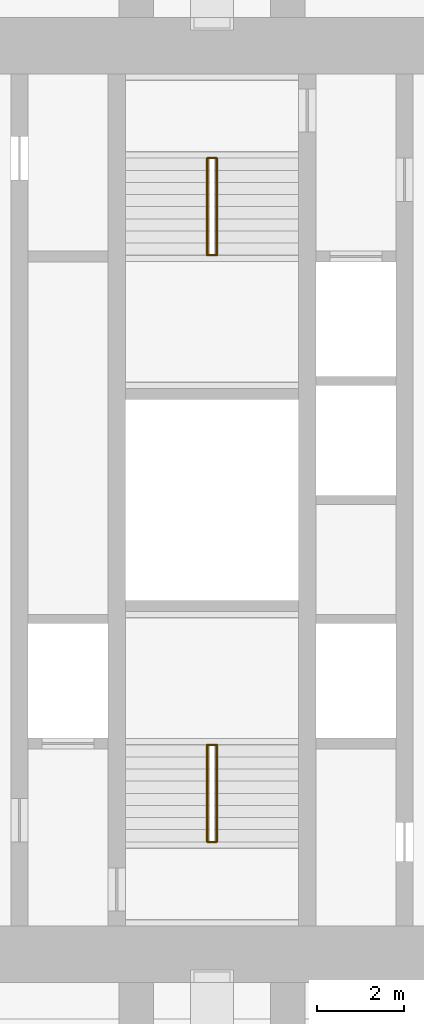
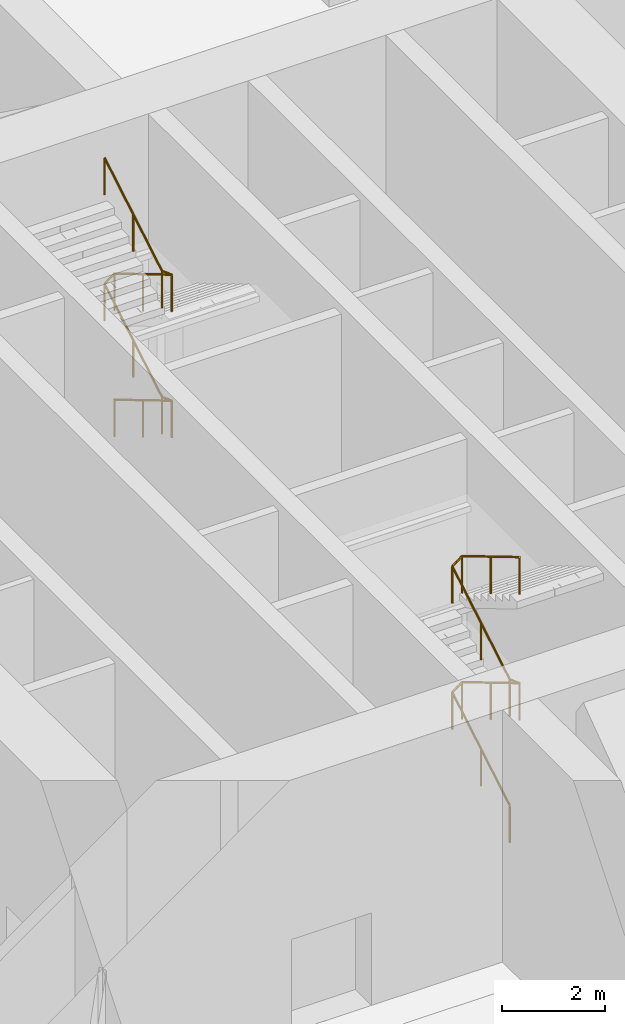
# One storey, part 19 of 19: 2 railings.
"""IFC4 building model written with IfcOpenShell, lengths in metres."""

from ifc_helpers import new_model, si_unit, direction, frame, origin, origin_2d, place, context, subcontext, project, spatial, circle, extrude, material, type_object, element, save


model = new_model("IFC4")

# Units and contexts
model_context = context("Model", 3, precision=1e-05, world=origin(), true_north=direction((0.0, 1.0)))
body_context = subcontext(model_context, "Body", "Model", "MODEL_VIEW")
ifc_project = project(units=[si_unit("LENGTHUNIT", "METRE"), si_unit("AREAUNIT", "SQUARE_METRE"), si_unit("VOLUMEUNIT", "CUBIC_METRE"), si_unit("PLANEANGLEUNIT", "RADIAN"), si_unit("MASSUNIT", "GRAM", prefix="KILO")], contexts=[model_context])

# Site, building, storey
site_placement = place(None, origin())
site = spatial("IfcSite", under=ifc_project, at=site_placement, CompositionType="ELEMENT")
building_placement = place(site_placement, origin())
building = spatial("IfcBuilding", under=site, at=building_placement, Name="Mizan Broadcast Tower", CompositionType="ELEMENT")
storey_placement = place(building_placement, frame((0.0, 0.0, 198.89990234375)))
storey = spatial("IfcBuildingStorey", under=building, at=storey_placement, Name="L46", CompositionType="ELEMENT", Elevation=198.89990234375)

# Railings
ifc_material = material(Name="Stainless steel", Category="steel")
railing_type = type_object("IfcRailingType", Name="HANDRAIL 50", PredefinedType="HANDRAIL", material=ifc_material)
railing_1_placement = place(storey_placement, frame((-0.110107421875, -7.89990234375, 0.166748046875)))
element("IfcRailing", 1, at=railing_1_placement, inside=storey, type_object=railing_type, Name="Stair A handrail", PredefinedType="HANDRAIL", context=body_context, shape_type="SweptSolid", body=[
    extrude(circle(Radius=0.02392578125, at=origin_2d()), frame((0.0, 0.0, 0.8759765625), z_axis=(0.0, 0.859305625298, 0.511462454469), x_axis=(-1.0, 0.0, 0.0)), (0.0, 0.0, 1.0), 2.606689453125),
    extrude(circle(Radius=0.02392578125, at=origin_2d()), frame((0.0, 2.239990234375, 2.208984375), z_axis=(0.7972339343, 0.0, 0.60367048462), x_axis=(0.0, 1.0, 0.0)), (0.0, 0.0, 1.0), 0.276123046875),
    extrude(circle(Radius=0.02392578125, at=origin_2d()), frame((0.22021484375, 2.239990234375, 2.3759765625), z_axis=(0.0, -0.859305625298, 0.511462454469), x_axis=(1.0, 0.0, 0.0)), (0.0, 0.0, 1.0), 2.606689453125),
    extrude(circle(Radius=0.02392578125, at=origin_2d()), frame((0.22021484375, 0.0, 3.708984375), z_axis=(-0.7972339343, 0.0, 0.60367048462), x_axis=(0.0, -1.0, 0.0)), (0.0, 0.0, 1.0), 0.276123046875),
    extrude(circle(Radius=0.02392578125, at=origin_2d()), frame((0.0, 0.0, 3.8759765625), z_axis=(0.0, 0.859305625298, 0.511462454469), x_axis=(-1.0, 0.0, 0.0)), (0.0, 0.0, 1.0), 2.606689453125),
    extrude(circle(Radius=0.02392578125, at=origin_2d()), frame((0.0, 2.239990234375, 5.208984375), z_axis=(0.7972339343, 0.0, 0.60367048462), x_axis=(0.0, 1.0, 0.0)), (0.0, 0.0, 1.0), 0.276123046875),
    extrude(circle(Radius=0.02392578125, at=origin_2d()), frame((0.22021484375, 2.239990234375, 5.3759765625), z_axis=(0.0, -0.859305625298, 0.511462454469), x_axis=(1.0, 0.0, 0.0)), (0.0, 0.0, 1.0), 2.606689453125),
    extrude(circle(Radius=0.02099609375, at=origin_2d()), origin(), (0.0, 0.0, 1.0), 0.851806640625),
    extrude(circle(Radius=0.02099609375, at=origin_2d()), frame((0.0, 1.1201171875, 0.66650390625)), (0.0, 0.0, 1.0), 0.851806640625),
    extrude(circle(Radius=0.02099609375, at=origin_2d()), frame((0.0, 2.239990234375, 1.333251953125)), (0.0, 0.0, 1.0), 0.851806640625),
    extrude(circle(Radius=0.02099609375, at=origin_2d()), frame((0.22021484375, 2.239990234375, 1.5)), (0.0, 0.0, 1.0), 0.851806640625),
    extrude(circle(Radius=0.02099609375, at=origin_2d()), frame((0.22021484375, 1.1201171875, 2.16650390625)), (0.0, 0.0, 1.0), 0.851806640625),
    extrude(circle(Radius=0.02099609375, at=origin_2d()), frame((0.22021484375, 0.0, 2.833251953125)), (0.0, 0.0, 1.0), 0.851806640625),
    extrude(circle(Radius=0.02099609375, at=origin_2d()), frame((0.0, 0.0, 3.0)), (0.0, 0.0, 1.0), 0.851806640625),
    extrude(circle(Radius=0.02099609375, at=origin_2d()), frame((0.0, 1.1201171875, 3.66650390625)), (0.0, 0.0, 1.0), 0.851806640625),
    extrude(circle(Radius=0.02099609375, at=origin_2d()), frame((0.0, 2.239990234375, 4.333251953125)), (0.0, 0.0, 1.0), 0.851806640625),
    extrude(circle(Radius=0.02099609375, at=origin_2d()), frame((0.22021484375, 2.239990234375, 4.5)), (0.0, 0.0, 1.0), 0.851806640625),
    extrude(circle(Radius=0.02099609375, at=origin_2d()), frame((0.22021484375, 1.1201171875, 5.16650390625)), (0.0, 0.0, 1.0), 0.851806640625),
    extrude(circle(Radius=0.02099609375, at=origin_2d()), frame((0.22021484375, 0.0, 5.833251953125)), (0.0, 0.0, 1.0), 0.851806640625),
])
railing_2_placement = place(storey_placement, frame((0.110107421875, 7.89990234375, 0.166748046875)))
element("IfcRailing", 2, at=railing_2_placement, inside=storey, type_object=railing_type, Name="Stair B handrail", PredefinedType="HANDRAIL", context=body_context, shape_type="SweptSolid", body=[
    extrude(circle(Radius=0.02392578125, at=origin_2d()), frame((0.0, 0.0, 0.8759765625), z_axis=(0.0, -0.859305625298, 0.511462454469), x_axis=(1.0, 0.0, 0.0)), (0.0, 0.0, 1.0), 2.606689453125),
    extrude(circle(Radius=0.02392578125, at=origin_2d()), frame((0.0, -2.239990234375, 2.208984375), z_axis=(-0.7972339343, 0.0, 0.60367048462), x_axis=(0.0, -1.0, 0.0)), (0.0, 0.0, 1.0), 0.276123046875),
    extrude(circle(Radius=0.02392578125, at=origin_2d()), frame((-0.22021484375, -2.239990234375, 2.3759765625), z_axis=(0.0, 0.859305625298, 0.511462454469), x_axis=(-1.0, 0.0, 0.0)), (0.0, 0.0, 1.0), 2.606689453125),
    extrude(circle(Radius=0.02392578125, at=origin_2d()), frame((-0.22021484375, 0.0, 3.708984375), z_axis=(0.7972339343, 0.0, 0.60367048462), x_axis=(0.0, 1.0, 0.0)), (0.0, 0.0, 1.0), 0.276123046875),
    extrude(circle(Radius=0.02392578125, at=origin_2d()), frame((0.0, 0.0, 3.8759765625), z_axis=(0.0, -0.859305625298, 0.511462454469), x_axis=(1.0, 0.0, 0.0)), (0.0, 0.0, 1.0), 2.606689453125),
    extrude(circle(Radius=0.02392578125, at=origin_2d()), frame((0.0, -2.239990234375, 5.208984375), z_axis=(-0.7972339343, 0.0, 0.60367048462), x_axis=(0.0, -1.0, 0.0)), (0.0, 0.0, 1.0), 0.276123046875),
    extrude(circle(Radius=0.02392578125, at=origin_2d()), frame((-0.22021484375, -2.239990234375, 5.3759765625), z_axis=(0.0, 0.859305625298, 0.511462454469), x_axis=(-1.0, 0.0, 0.0)), (0.0, 0.0, 1.0), 2.606689453125),
    extrude(circle(Radius=0.02099609375, at=origin_2d()), origin(), (0.0, 0.0, 1.0), 0.851806640625),
    extrude(circle(Radius=0.02099609375, at=origin_2d()), frame((0.0, -1.1201171875, 0.66650390625)), (0.0, 0.0, 1.0), 0.851806640625),
    extrude(circle(Radius=0.02099609375, at=origin_2d()), frame((0.0, -2.239990234375, 1.333251953125)), (0.0, 0.0, 1.0), 0.851806640625),
    extrude(circle(Radius=0.02099609375, at=origin_2d()), frame((-0.22021484375, -2.239990234375, 1.5)), (0.0, 0.0, 1.0), 0.851806640625),
    extrude(circle(Radius=0.02099609375, at=origin_2d()), frame((-0.22021484375, -1.1201171875, 2.16650390625)), (0.0, 0.0, 1.0), 0.851806640625),
    extrude(circle(Radius=0.02099609375, at=origin_2d()), frame((-0.22021484375, 0.0, 2.833251953125)), (0.0, 0.0, 1.0), 0.851806640625),
    extrude(circle(Radius=0.02099609375, at=origin_2d()), frame((0.0, 0.0, 3.0)), (0.0, 0.0, 1.0), 0.851806640625),
    extrude(circle(Radius=0.02099609375, at=origin_2d()), frame((0.0, -1.1201171875, 3.66650390625)), (0.0, 0.0, 1.0), 0.851806640625),
    extrude(circle(Radius=0.02099609375, at=origin_2d()), frame((0.0, -2.239990234375, 4.333251953125)), (0.0, 0.0, 1.0), 0.851806640625),
    extrude(circle(Radius=0.02099609375, at=origin_2d()), frame((-0.22021484375, -2.239990234375, 4.5)), (0.0, 0.0, 1.0), 0.851806640625),
    extrude(circle(Radius=0.02099609375, at=origin_2d()), frame((-0.22021484375, -1.1201171875, 5.16650390625)), (0.0, 0.0, 1.0), 0.851806640625),
    extrude(circle(Radius=0.02099609375, at=origin_2d()), frame((-0.22021484375, 0.0, 5.833251953125)), (0.0, 0.0, 1.0), 0.851806640625),
])

save(model, "model.ifc")
